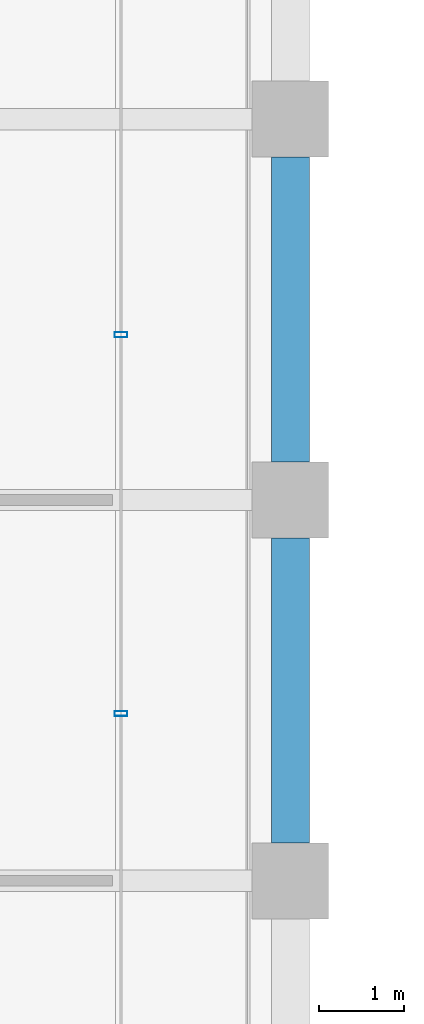
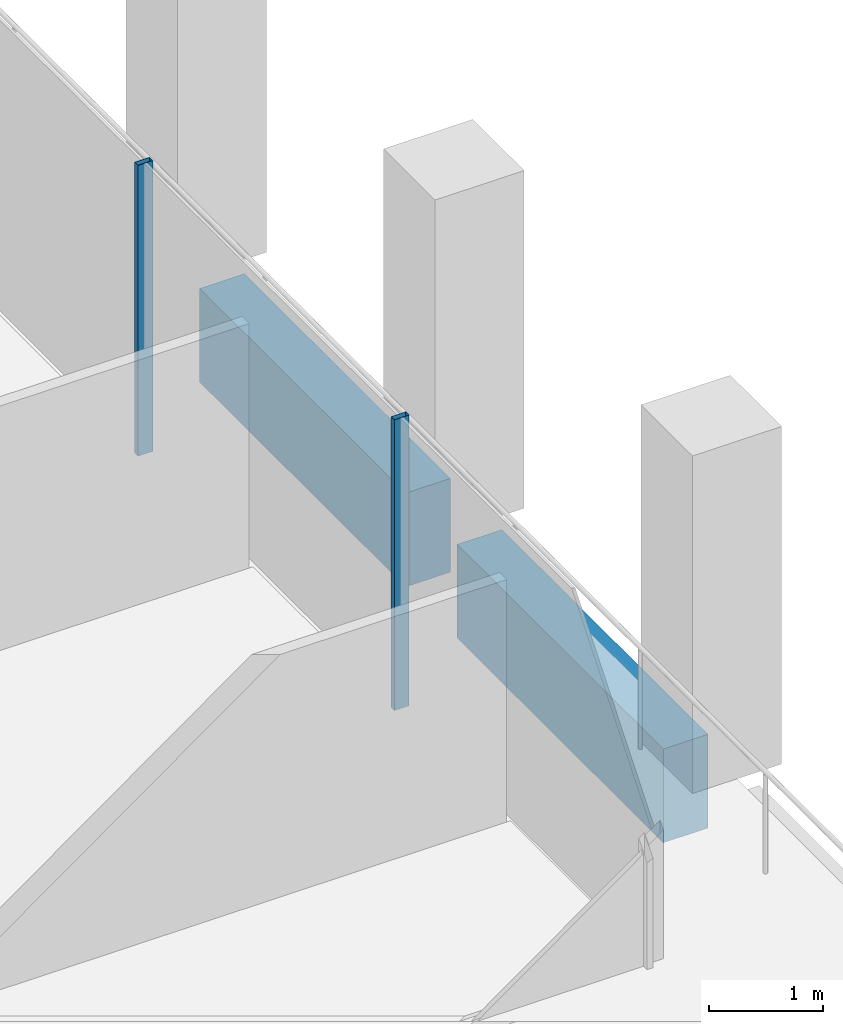
# One storey, part 15 of 40: 2 beams, 2 members, 1 element without a shape of its own.
"""IFC4 building model written with IfcOpenShell, lengths in metres."""

from ifc_helpers import new_model, si_unit, direction, frame, origin, origin_2d, place, context, subcontext, project, spatial, rectangle, hollow_rectangle, extrude, material, material_profile, profile_set, type_object, element, aggregate, save


model = new_model("IFC4")

# Units and contexts
model_context = context("Model", 3, precision=1e-05, world=origin(), true_north=direction((0.0, 1.0)))
body_context = subcontext(model_context, "Body", "Model", "MODEL_VIEW")
ifc_project = project(units=[si_unit("LENGTHUNIT", "METRE"), si_unit("AREAUNIT", "SQUARE_METRE"), si_unit("VOLUMEUNIT", "CUBIC_METRE"), si_unit("PLANEANGLEUNIT", "RADIAN"), si_unit("MASSUNIT", "GRAM", prefix="KILO")], contexts=[model_context])

# Site, building, storey
site_placement = place(None, origin())
site = spatial("IfcSite", under=ifc_project, at=site_placement, CompositionType="ELEMENT")
building_placement = place(site_placement, origin())
building = spatial("IfcBuilding", under=site, at=building_placement, Name="Altepetl Exchange Towers", CompositionType="ELEMENT")
storey_placement = place(building_placement, frame((0.0, 0.0, 187.0)))
storey = spatial("IfcBuildingStorey", under=building, at=storey_placement, Name="L47", CompositionType="ELEMENT", Elevation=187.0)

# Curtain wall, members
ifc_material_1 = material(Name="Aluminium 6063-T6 glazing", Category="aluminium")
curtain_wall_type = type_object("IfcCurtainWallType", Name="Loggia glazing system", PredefinedType="NOTDEFINED", material=ifc_material_1)
curtain_wall_placement = place(storey_placement, origin())
curtain_wall = element("IfcCurtainWall", 1, at=curtain_wall_placement, inside=storey, type_object=curtain_wall_type, Name="CW1 run", PredefinedType="NOTDEFINED")
ifc_material_2 = material(Name="Aluminium 6063-T6", Category="aluminium")
ifc_material_profile_1 = material_profile(ifc_material_2, hollow_rectangle(XDim=0.06005859375, YDim=0.14990234375, WallThickness=0.0029296875, at=origin_2d()), Name="Mullion 60x150 aluminium")
ifc_profile_set_1 = profile_set([ifc_material_profile_1], Name="Aluminium 6063-T6")
member_type = type_object("IfcMemberType", Name="Mullion 60x150 aluminium", PredefinedType="MULLION", material=ifc_profile_set_1)
member_1_placement = place(storey_placement, frame((70.0, 37.97607421875, 0.0), z_axis=(0.0, 0.0, 1.0), x_axis=(0.0, 1.0, 0.0)))
member_1 = element("IfcMember", 2, at=member_1_placement, type_object=member_type, Name="MU1 mullion", PredefinedType="MULLION", context=body_context, shape_type="SweptSolid", body=[
    extrude(hollow_rectangle(XDim=0.06005859375, YDim=0.14990234375, WallThickness=0.0029296875, at=origin_2d()), origin(), (0.0, 0.0, 1.0), 3.10009765625),
])
member_2_placement = place(storey_placement, frame((70.0, 42.451904296875, 0.0), z_axis=(0.0, 0.0, 1.0), x_axis=(0.0, 1.0, 0.0)))
member_2 = element("IfcMember", 3, at=member_2_placement, type_object=member_type, Name="MU1 mullion", PredefinedType="MULLION", context=body_context, shape_type="SweptSolid", body=[
    extrude(hollow_rectangle(XDim=0.06005859375, YDim=0.14990234375, WallThickness=0.0029296875, at=origin_2d()), origin(), (0.0, 0.0, 1.0), 3.10009765625),
])
aggregate(curtain_wall, [member_1, member_2])

# Beams
ifc_material_3 = material(Name="Concrete C50/60 precast with cantera amarilla facing", Category="concrete")
ifc_material_profile_2 = material_profile(ifc_material_3, rectangle(XDim=0.449951171875, YDim=1.0, at=origin_2d()), Name="450 x 1000")
ifc_profile_set_2 = profile_set([ifc_material_profile_2], Name="Concrete C50/60 precast with cantera amarilla facing")
beam_type = type_object("IfcBeamType", Name="Spandrel beam 450x1000 cantera amarilla", PredefinedType="SPANDREL", material=ifc_profile_set_2)
for number, where, z_axis, x_axis, name in (
    (4, (72.0, 36.449951171875, -0.64990234375), (0.0, 1.0, 0.0), (-1.0, 0.0, 0.0), "sp:A:L47:013"),
    (5, (72.0, 40.949951171875, -0.64990234375), (0.0, 1.0, 0.0), (-1.0, 0.0, 0.0), "sp:A:L47:014"),
):
    element("IfcBeam", number, at=place(storey_placement, frame(where, z_axis=z_axis, x_axis=x_axis)), inside=storey, type_object=beam_type, Name=name, PredefinedType="SPANDREL", context=body_context, shape_type="SweptSolid", body=[
        extrude(rectangle(XDim=0.449951171875, YDim=1.0, at=origin_2d()), origin(), (0.0, 0.0, 1.0), 3.60009765625),
    ])

save(model, "model.ifc")
